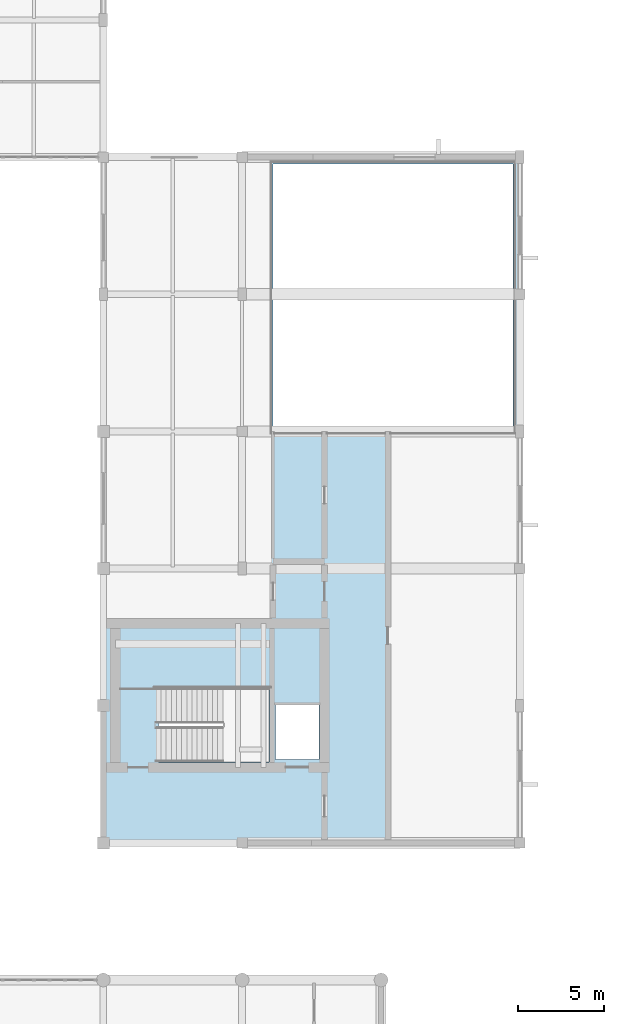
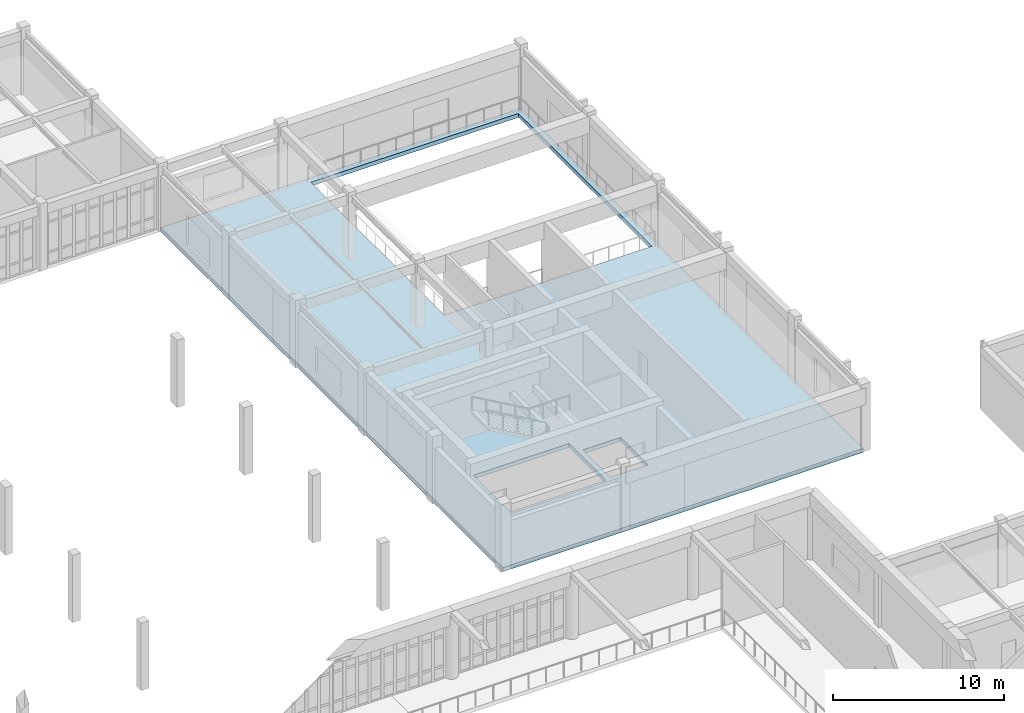
# One storey, part 37 of 61: 1 slab.
"""IFC4 building model written with IfcOpenShell, lengths in metres."""

from ifc_helpers import new_model, si_unit, direction, frame, origin, place, context, subcontext, project, spatial, polyline, outline, extrude, material, layer, layer_set, type_object, element, save


model = new_model("IFC4")

# Units and contexts
model_context = context("Model", 3, precision=1e-05, world=origin(), true_north=direction((0.0, 1.0)))
body_context = subcontext(model_context, "Body", "Model", "MODEL_VIEW")
ifc_project = project(units=[si_unit("LENGTHUNIT", "METRE"), si_unit("AREAUNIT", "SQUARE_METRE"), si_unit("VOLUMEUNIT", "CUBIC_METRE"), si_unit("PLANEANGLEUNIT", "RADIAN"), si_unit("MASSUNIT", "GRAM", prefix="KILO")], contexts=[model_context])

# Site, building, storey
site_placement = place(None, origin())
site = spatial("IfcSite", under=ifc_project, at=site_placement, CompositionType="ELEMENT")
building_placement = place(site_placement, origin())
building = spatial("IfcBuilding", under=site, at=building_placement, Name="Tarnveldt Square Police Headquarters", CompositionType="ELEMENT")
storey_placement = place(building_placement, frame((0.0, 0.0, 5.39990234375)))
storey = spatial("IfcBuildingStorey", under=building, at=storey_placement, Name="L01", CompositionType="ELEMENT", Elevation=5.39990234375)

# Slab
ifc_material = material(Name="Concrete 40 MPa", Category="concrete")
ifc_layer = layer(ifc_material, 0.280029296875)
ifc_layer_set = layer_set([ifc_layer], Name="Concrete 40 MPa")
slab_type = type_object("IfcSlabType", Name="SL-POD-280", PredefinedType="FLOOR", material=ifc_layer_set)
slab_placement = place(storey_placement, frame((0.0, 0.0, -0.27978515625)))
element("IfcSlab", 1, at=slab_placement, inside=storey, type_object=slab_type, Name="L01 Structural Floor Slab L01-V7-1", PredefinedType="FLOOR", context=body_context, shape_type="SweptSolid", body=[
    extrude(outline(polyline([(129.60009765625, 96.0), (129.60009765625, 56.0), (105.300048828125, 56.0), (105.300048828125, 96.0), (129.60009765625, 96.0)]), holes=[polyline([(115.330078125, 64.050048828125), (115.330078125, 60.85009765625), (117.8798828125, 60.85009765625), (117.8798828125, 64.050048828125), (115.330078125, 64.050048828125)]), polyline([(108.510009765625, 65.02001953125), (108.510009765625, 60.719970703125), (114.969970703125, 60.719970703125), (114.969970703125, 65.02001953125), (108.510009765625, 65.02001953125)]), polyline([(129.199951171875, 95.60009765625), (115.199951171875, 95.60009765625), (115.199951171875, 80.0), (129.199951171875, 80.0), (129.199951171875, 95.60009765625)])]), origin(), (0.0, 0.0, 1.0), 0.27978515625),
])

save(model, "model.ifc")
